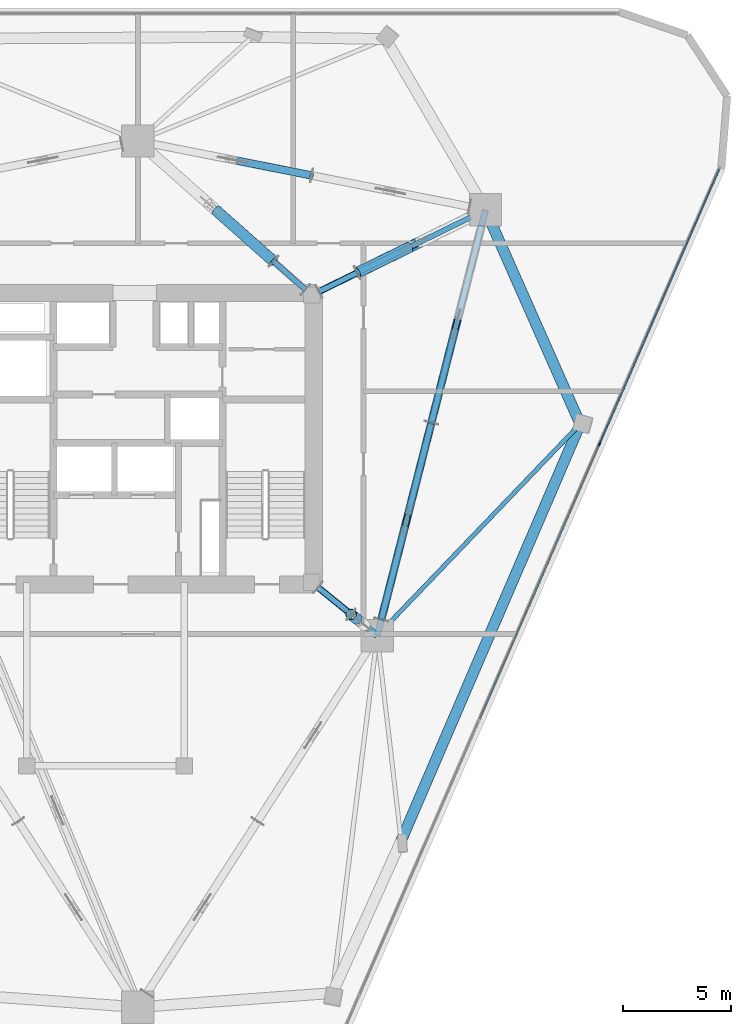
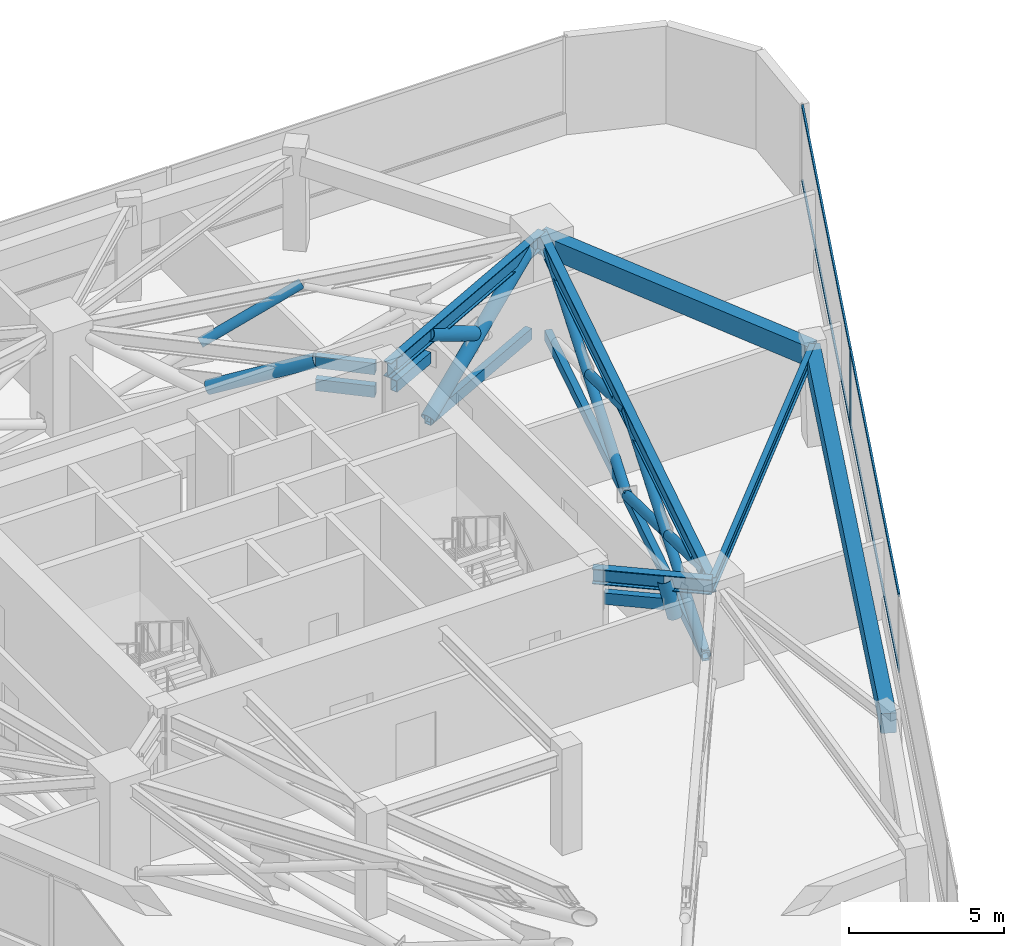
# One storey, part 7 of 13: 27 members, 6 beams, 1 element without a shape of its own.
"""IFC4 building model written with IfcOpenShell, lengths in metres."""

from ifc_helpers import new_model, si_unit, direction, frame, origin, origin_2d, place, context, subcontext, project, spatial, rectangle, hollow_rectangle, hollow_circle, i_section, extrude, material, layer, layer_set, material_profile, profile_set, type_object, element, aggregate, save


model = new_model("IFC4")

# Units and contexts
model_context = context("Model", 3, precision=1e-05, world=origin(), true_north=direction((0.0, 1.0)))
body_context = subcontext(model_context, "Body", "Model", "MODEL_VIEW")
ifc_project = project(units=[si_unit("LENGTHUNIT", "METRE"), si_unit("AREAUNIT", "SQUARE_METRE"), si_unit("VOLUMEUNIT", "CUBIC_METRE"), si_unit("PLANEANGLEUNIT", "RADIAN"), si_unit("MASSUNIT", "GRAM", prefix="KILO")], contexts=[model_context])

# Site, building, storey
site_placement = place(None, origin())
site = spatial("IfcSite", under=ifc_project, at=site_placement, CompositionType="ELEMENT")
building_placement = place(site_placement, origin())
building = spatial("IfcBuilding", under=site, at=building_placement, Name="Talyreon Biosciences Tower", CompositionType="ELEMENT")
storey_placement = place(building_placement, frame((0.0, 0.0, 171.0)))
storey = spatial("IfcBuildingStorey", under=building, at=storey_placement, Name="L45", CompositionType="ELEMENT", Elevation=171.0)

# Members
ifc_material_1 = material(Name="Steel SM355", Category="steel")
ifc_material_profile_1 = material_profile(ifc_material_1, hollow_circle(Radius=0.177734375, WallThickness=0.01416015625, at=origin_2d()), Name="CHS 355.6x14.2")
ifc_profile_set_1 = profile_set([ifc_material_profile_1], Name="Steel SM355")
member_type_1 = type_object("IfcMemberType", Name="BeltBrace_CHS355", PredefinedType="BRACE", material=ifc_profile_set_1)
member_1_placement = place(storey_placement, frame((77.273681640625, 59.616943359375, 0.239990234375), z_axis=(0.232175985263, 0.912728865371, 0.336184964248), x_axis=(-0.969136504924, 0.246524714428, 0.0)))
element("IfcMember", 1, at=member_1_placement, inside=storey, type_object=member_type_1, Name="L45 Continuous Diagonal BELT-L45-B2S1A", PredefinedType="BRACE", context=body_context, shape_type="SweptSolid", body=[
    extrude(hollow_circle(Radius=0.177734375, WallThickness=0.01416015625, at=origin_2d()), origin(), (0.0, 0.0, 1.0), 9.994873046875),
])
for number, where, z_axis, x_axis, name in (
    (2, (79.59423828125, 68.739501953125, 0.239990234375), (-0.232167155057, -0.912728476724, 0.336192117532), (0.96913871987, -0.24651600688, 0.0), "L45 Split Diagonal BELT-L45-B2S1B-Lower"),
    (3, (78.368896484375, 63.922607421875, 2.01416015625), (-0.232167155057, -0.912728476724, 0.336192117532), (0.96913871987, -0.24651600688, 0.0), "L45 Split Diagonal BELT-L45-B2S1B-Upper"),
):
    element("IfcMember", number, at=place(storey_placement, frame(where, z_axis=z_axis, x_axis=x_axis)), inside=storey, type_object=member_type_1, Name=name, PredefinedType="BRACE", context=body_context, shape_type="SweptSolid", body=[
        extrude(hollow_circle(Radius=0.177734375, WallThickness=0.01416015625, at=origin_2d()), origin(), (0.0, 0.0, 1.0), 4.71728515625),
    ])
member_2_placement = place(storey_placement, frame((79.59423828125, 68.739501953125, 0.239990234375), z_axis=(0.232193918339, 0.912727766311, 0.336175562602), x_axis=(-0.96913188456, 0.246542877262, 0.0)))
element("IfcMember", 4, at=member_2_placement, inside=storey, type_object=member_type_1, Name="L45 Continuous Diagonal BELT-L45-B2S2A", PredefinedType="BRACE", context=body_context, shape_type="SweptSolid", body=[
    extrude(hollow_circle(Radius=0.177734375, WallThickness=0.01416015625, at=origin_2d()), origin(), (0.0, 0.0, 1.0), 9.9951171875),
])
member_3_placement = place(storey_placement, frame((80.689697265625, 73.04541015625, 2.01416015625), z_axis=(-0.232205149796, -0.912726148197, 0.336172198145), x_axis=(0.969128930664, -0.246554488399, 0.0)))
element("IfcMember", 5, at=member_3_placement, inside=storey, type_object=member_type_1, Name="L45 Split Diagonal BELT-L45-B2S2B-Upper", PredefinedType="BRACE", context=body_context, shape_type="SweptSolid", body=[
    extrude(hollow_circle(Radius=0.177734375, WallThickness=0.01416015625, at=origin_2d()), origin(), (0.0, 0.0, 1.0), 4.717529296875),
])
member_4_placement = place(storey_placement, frame((70.648681640625, 80.867919921875, 2.03515625), z_axis=(0.894148772603, -0.177136023617, 0.411242995794), x_axis=(0.194329148717, 0.980936380179, 0.0)))
element("IfcMember", 6, at=member_4_placement, inside=storey, type_object=member_type_1, Name="L45 Split Diagonal BELT-L45-B3S2B-Upper", PredefinedType="BRACE", context=body_context, shape_type="SweptSolid", body=[
    extrude(hollow_circle(Radius=0.177734375, WallThickness=0.01416015625, at=origin_2d()), origin(), (0.0, 0.0, 1.0), 3.805419921875),
])
ifc_material_profile_2 = material_profile(ifc_material_1, hollow_rectangle(XDim=0.25, YDim=0.39990234375, WallThickness=0.01611328125, at=origin_2d()), Name="RHS 400x250x16")
ifc_profile_set_2 = profile_set([ifc_material_profile_2], Name="Steel SM355")
member_type_2 = type_object("IfcMemberType", Name="BeltChord_RHS400x250", PredefinedType="CHORD", material=ifc_profile_set_2)
for number, where, z_axis, x_axis, name in (
    (7, (77.273681640625, 59.616943359375, 0.239990234375), (0.246524714428, 0.969136504924, 0.0), (-0.969136504924, 0.246524714428, 0.0), "L45 Truss Bottom Chord BELT-L45-B2S1"),
    (8, (77.273681640625, 59.616943359375, 3.60009765625), (0.246524714428, 0.969136504924, 0.0), (-0.969136504924, 0.246524714428, 0.0), "L45 Truss Top Chord BELT-L45-B2S1"),
):
    element("IfcMember", number, at=place(storey_placement, frame(where, z_axis=z_axis, x_axis=x_axis)), inside=storey, type_object=member_type_2, Name=name, PredefinedType="CHORD", context=body_context, shape_type="SweptSolid", body=[
        extrude(hollow_rectangle(XDim=0.25, YDim=0.39990234375, WallThickness=0.01611328125, at=origin_2d()), origin(), (0.0, 0.0, 1.0), 9.4130859375),
    ])
for number, where, z_axis, x_axis, name in (
    (9, (79.59423828125, 68.739501953125, 0.239990234375), (0.246542877262, 0.96913188456, 0.0), (-0.96913188456, 0.246542877262, 0.0), "L45 Truss Bottom Chord BELT-L45-B2S2"),
    (10, (79.59423828125, 68.739501953125, 3.60009765625), (0.246542877262, 0.96913188456, 0.0), (-0.96913188456, 0.246542877262, 0.0), "L45 Truss Top Chord BELT-L45-B2S2"),
):
    element("IfcMember", number, at=place(storey_placement, frame(where, z_axis=z_axis, x_axis=x_axis)), inside=storey, type_object=member_type_2, Name=name, PredefinedType="CHORD", context=body_context, shape_type="SweptSolid", body=[
        extrude(hollow_rectangle(XDim=0.25, YDim=0.39990234375, WallThickness=0.01611328125, at=origin_2d()), origin(), (0.0, 0.0, 1.0), 9.413330078125),
    ])

# Curtain wall, members
ifc_material_2 = material(Name="Thermally broken aluminium and low-E glazing", Category="aluminium")
ifc_layer = layer(ifc_material_2, 0.18505859375)
ifc_layer_set = layer_set([ifc_layer], Name="Thermally broken aluminium and low-E glazing")
curtain_wall_type = type_object("IfcCurtainWallType", Name="CurtainWall_Zone3Bioprocess", PredefinedType="NOTDEFINED", material=ifc_layer_set)
curtain_wall_placement = place(storey_placement, origin())
curtain_wall = element("IfcCurtainWall", 11, at=curtain_wall_placement, inside=storey, type_object=curtain_wall_type, Name="L45 Unitised Curtain Wall FCW-L45-08", PredefinedType="NOTDEFINED")
ifc_material_3 = material(Name="Anodised thermally broken aluminium", Category="aluminium")
ifc_material_profile_3 = material_profile(ifc_material_3, rectangle(XDim=0.06494140625, YDim=0.179931640625, at=origin_2d()), Name="ALUM MULLION 65x180")
ifc_profile_set_3 = profile_set([ifc_material_profile_3], Name="Anodised thermally broken aluminium")
member_type_3 = type_object("IfcMemberType", Name="CWMullion_65x180", PredefinedType="MULLION", material=ifc_profile_set_3)
member_5_placement = place(storey_placement, frame((87.390380859375, 67.762939453125, 0.81005859375), z_axis=(0.0, 0.0, 1.0), x_axis=(0.916820215501, -0.399300253505, 0.0)))
member_5 = element("IfcMember", 12, at=member_5_placement, type_object=member_type_3, Name="CW4 mullion 2", PredefinedType="MULLION", context=body_context, shape_type="SweptSolid", body=[
    extrude(rectangle(XDim=0.06494140625, YDim=0.179931640625, at=origin_2d()), origin(), (0.0, 0.0, 1.0), 3.0400390625),
])
ifc_material_profile_4 = material_profile(ifc_material_3, rectangle(XDim=0.06494140625, YDim=0.139892578125, at=origin_2d()), Name="ALUM TRANSOM 65x140")
ifc_profile_set_4 = profile_set([ifc_material_profile_4], Name="Anodised thermally broken aluminium")
member_type_4 = type_object("IfcMemberType", Name="CWTransom_65x140", PredefinedType="USERDEFINED", material=ifc_profile_set_4)
member_6_placement = place(storey_placement, frame((92.9296875, 80.481689453125, 0.842529296875), z_axis=(-0.399298814497, -0.916820842227, 0.0), x_axis=(0.916820842227, -0.399298814497, 0.0)))
member_6 = element("IfcMember", 13, at=member_6_placement, type_object=member_type_4, Name="CW4 transom 1.1", ObjectType="TRANSOM", PredefinedType="USERDEFINED", context=body_context, shape_type="SweptSolid", body=[
    extrude(rectangle(XDim=0.06494140625, YDim=0.139892578125, at=origin_2d()), origin(), (0.0, 0.0, 1.0), 13.840087890625),
])
member_7_placement = place(storey_placement, frame((92.9296875, 80.481689453125, 3.8173828125), z_axis=(-0.399298814497, -0.916820842227, 0.0), x_axis=(0.916820842227, -0.399298814497, 0.0)))
member_7 = element("IfcMember", 14, at=member_7_placement, type_object=member_type_4, Name="CW4 transom 1.2", ObjectType="TRANSOM", PredefinedType="USERDEFINED", context=body_context, shape_type="SweptSolid", body=[
    extrude(rectangle(XDim=0.06494140625, YDim=0.139892578125, at=origin_2d()), origin(), (0.0, 0.0, 1.0), 13.840087890625),
])
member_8_placement = place(storey_placement, frame((87.37744140625, 67.73291015625, 0.842529296875), z_axis=(-0.399311623344, -0.916815263541, 0.0), x_axis=(0.916815263541, -0.399311623344, 0.0)))
member_8 = element("IfcMember", 15, at=member_8_placement, type_object=member_type_4, Name="CW4 transom 2.1", ObjectType="TRANSOM", PredefinedType="USERDEFINED", context=body_context, shape_type="SweptSolid", body=[
    extrude(rectangle(XDim=0.06494140625, YDim=0.139892578125, at=origin_2d()), origin(), (0.0, 0.0, 1.0), 13.872802734375),
])
member_9_placement = place(storey_placement, frame((87.37744140625, 67.73291015625, 3.8173828125), z_axis=(-0.399311623344, -0.916815263541, 0.0), x_axis=(0.916815263541, -0.399311623344, 0.0)))
member_9 = element("IfcMember", 16, at=member_9_placement, type_object=member_type_4, Name="CW4 transom 2.2", ObjectType="TRANSOM", PredefinedType="USERDEFINED", context=body_context, shape_type="SweptSolid", body=[
    extrude(rectangle(XDim=0.06494140625, YDim=0.139892578125, at=origin_2d()), origin(), (0.0, 0.0, 1.0), 13.872802734375),
])
aggregate(curtain_wall, [member_5, member_6, member_7, member_8, member_9])

# Beams
ifc_material_4 = material(Name="Precast concrete C45/55", Category="concrete")
ifc_material_profile_5 = material_profile(ifc_material_4, rectangle(XDim=0.5, YDim=0.780029296875, at=origin_2d()), Name="RCB 500x780")
ifc_profile_set_5 = profile_set([ifc_material_profile_5], Name="Precast concrete C45/55")
beam_type_1 = type_object("IfcBeamType", Name="ExpressedSpandrel_500x780", PredefinedType="SPANDREL", material=ifc_profile_set_5)
beam_1_placement = place(storey_placement, frame((78.192626953125, 49.377685546875, 3.4599609375), z_axis=(0.394861519071, 0.918740649344, 0.0), x_axis=(-0.918740649344, 0.394861519071, 0.0)))
element("IfcBeam", 17, at=beam_1_placement, inside=storey, type_object=beam_type_1, Name="L45 Expressed Horizontal Concrete Spandrel 03", PredefinedType="SPANDREL", context=body_context, shape_type="SweptSolid", body=[
    extrude(rectangle(XDim=0.5, YDim=0.780029296875, at=origin_2d()), origin(), (0.0, 0.0, 1.0), 21.01025390625),
])
beam_2_placement = place(storey_placement, frame((86.48876953125, 68.6806640625, 3.4599609375), z_axis=(-0.404481392279, 0.914546228082, 0.0), x_axis=(-0.914546228082, -0.404481392279, 0.0)))
element("IfcBeam", 18, at=beam_2_placement, inside=storey, type_object=beam_type_1, Name="L45 Expressed Horizontal Concrete Spandrel 04", PredefinedType="SPANDREL", context=body_context, shape_type="SweptSolid", body=[
    extrude(rectangle(XDim=0.5, YDim=0.780029296875, at=origin_2d()), origin(), (0.0, 0.0, 1.0), 10.8447265625),
])

# Members
ifc_material_profile_6 = material_profile(ifc_material_1, hollow_circle(Radius=0.25390625, WallThickness=0.02001953125, at=origin_2d()), Name="CHS 508x20")
ifc_profile_set_6 = profile_set([ifc_material_profile_6], Name="Steel SM355")
member_type_5 = type_object("IfcMemberType", Name="OutriggerBrace_CHS508", PredefinedType="BRACE", material=ifc_profile_set_6)
member_10_placement = place(storey_placement, frame((76.13427734375, 59.65478515625, 2.1923828125), z_axis=(-0.180480395429, 0.146745742077, 0.972570056113), x_axis=(-0.630865577275, -0.775892146764, 0.0)))
element("IfcMember", 19, at=member_10_placement, inside=storey, type_object=member_type_5, Name="L45 Split Diagonal OUT-L45-R2B-Upper", PredefinedType="BRACE", context=body_context, shape_type="SweptSolid", body=[
    extrude(hollow_circle(Radius=0.25390625, WallThickness=0.02001953125, at=origin_2d()), origin(), (0.0, 0.0, 1.0), 1.447509765625),
])
member_11_placement = place(storey_placement, frame((76.159912109375, 75.684814453125, 0.239990234375), z_axis=(0.778845868979, 0.38192186613, 0.497528693189), x_axis=(-0.440282388791, 0.897859353195, 0.0)))
element("IfcMember", 20, at=member_11_placement, inside=storey, type_object=member_type_5, Name="L45 Continuous Diagonal OUT-L45-R3A", PredefinedType="BRACE", context=body_context, shape_type="SweptSolid", body=[
    extrude(hollow_circle(Radius=0.25390625, WallThickness=0.02001953125, at=origin_2d()), origin(), (0.0, 0.0, 1.0), 6.753662109375),
])
member_12_placement = place(storey_placement, frame((78.572021484375, 76.867431640625, 2.059326171875), z_axis=(-0.778876963264, -0.381870446361, 0.49751948534), x_axis=(0.440220431574, -0.897889732442, 0.0)))
element("IfcMember", 21, at=member_12_placement, inside=storey, type_object=member_type_5, Name="L45 Split Diagonal OUT-L45-R3B-Upper", PredefinedType="BRACE", context=body_context, shape_type="SweptSolid", body=[
    extrude(hollow_circle(Radius=0.25390625, WallThickness=0.02001953125, at=origin_2d()), origin(), (0.0, 0.0, 1.0), 3.096923828125),
])
member_13_placement = place(storey_placement, frame((69.6220703125, 78.576904296875, 2.03271484375), z_axis=(0.684988737125, -0.607500756528, 0.40216074004), x_axis=(0.663522578679, 0.748156258801, 0.0)))
element("IfcMember", 22, at=member_13_placement, inside=storey, type_object=member_type_5, Name="L45 Split Diagonal OUT-L45-R4B-Upper", PredefinedType="BRACE", context=body_context, shape_type="SweptSolid", body=[
    extrude(hollow_circle(Radius=0.25390625, WallThickness=0.02001953125, at=origin_2d()), origin(), (0.0, 0.0, 1.0), 3.8974609375),
])
ifc_material_profile_7 = material_profile(ifc_material_1, hollow_rectangle(XDim=0.25, YDim=0.449951171875, WallThickness=0.01611328125, at=origin_2d()), Name="RHS 450x250x16")
ifc_profile_set_7 = profile_set([ifc_material_profile_7], Name="Steel SM355")
member_type_6 = type_object("IfcMemberType", Name="OutriggerChord_RHS450x250", PredefinedType="CHORD", material=ifc_profile_set_7)
for number, where, z_axis, x_axis, name in (
    (23, (74.3486328125, 61.107177734375, 3.60009765625), (0.775764250479, -0.631022842438, 0.0), (0.631022842438, 0.775764250479, 0.0), "L45 Outrigger Core Top Tie 2"),
    (24, (74.3486328125, 61.107177734375, 2.699951171875), (0.775764250479, -0.631022842438, 0.0), (0.631022842438, 0.775764250479, 0.0), "L45 Outrigger Core Plenum Tie 2"),
):
    element("IfcMember", number, at=place(storey_placement, frame(where, z_axis=z_axis, x_axis=x_axis)), inside=storey, type_object=member_type_6, Name=name, PredefinedType="CHORD", context=body_context, shape_type="SweptSolid", body=[
        extrude(hollow_rectangle(XDim=0.25, YDim=0.449951171875, WallThickness=0.01611328125, at=origin_2d()), origin(), (0.0, 0.0, 1.0), 1.965087890625),
    ])
for number, where, z_axis, x_axis, name in (
    (25, (74.395751953125, 74.819580078125, 3.60009765625), (0.897830193079, 0.44034184947, 0.0), (-0.44034184947, 0.897830193079, 0.0), "L45 Outrigger Core Top Tie 3"),
    (26, (74.395751953125, 74.819580078125, 2.699951171875), (0.897830193079, 0.44034184947, 0.0), (-0.44034184947, 0.897830193079, 0.0), "L45 Outrigger Core Plenum Tie 3"),
):
    element("IfcMember", number, at=place(storey_placement, frame(where, z_axis=z_axis, x_axis=x_axis)), inside=storey, type_object=member_type_6, Name=name, PredefinedType="CHORD", context=body_context, shape_type="SweptSolid", body=[
        extrude(hollow_rectangle(XDim=0.25, YDim=0.449951171875, WallThickness=0.01611328125, at=origin_2d()), origin(), (0.0, 0.0, 1.0), 1.96484375),
    ])
for number, where, z_axis, x_axis, name in (
    (27, (76.159912109375, 75.684814453125, 0.239990234375), (0.897859353195, 0.440282388791, 0.0), (-0.440282388791, 0.897859353195, 0.0), "L45 Truss Bottom Chord OUT-L45-R3"),
    (28, (76.159912109375, 75.684814453125, 3.60009765625), (0.897859353195, 0.440282388791, 0.0), (-0.440282388791, 0.897859353195, 0.0), "L45 Truss Top Chord OUT-L45-R3"),
):
    element("IfcMember", number, at=place(storey_placement, frame(where, z_axis=z_axis, x_axis=x_axis)), inside=storey, type_object=member_type_6, Name=name, PredefinedType="CHORD", context=body_context, shape_type="SweptSolid", body=[
        extrude(hollow_rectangle(XDim=0.25, YDim=0.449951171875, WallThickness=0.01611328125, at=origin_2d()), origin(), (0.0, 0.0, 1.0), 5.8583984375),
    ])
for number, where, z_axis, x_axis, name in (
    (29, (73.761962890625, 74.905517578125, 3.60009765625), (-0.748203951934, 0.663468798294, 0.0), (-0.663468798294, -0.748203951934, 0.0), "L45 Outrigger Core Top Tie 4"),
    (30, (73.761962890625, 74.905517578125, 2.699951171875), (-0.748203951934, 0.663468798294, 0.0), (-0.663468798294, -0.748203951934, 0.0), "L45 Outrigger Core Plenum Tie 4"),
):
    element("IfcMember", number, at=place(storey_placement, frame(where, z_axis=z_axis, x_axis=x_axis)), inside=storey, type_object=member_type_6, Name=name, PredefinedType="CHORD", context=body_context, shape_type="SweptSolid", body=[
        extrude(hollow_rectangle(XDim=0.25, YDim=0.449951171875, WallThickness=0.01611328125, at=origin_2d()), origin(), (0.0, 0.0, 1.0), 1.965087890625),
    ])

# Beams
ifc_material_profile_8 = material_profile(ifc_material_1, i_section(OverallWidth=0.300048828125, OverallDepth=0.60009765625, WebThickness=0.015380859375, FlangeThickness=0.030029296875, FilletRadius=0.027099609375, at=origin_2d()), Name="HE600B")
ifc_profile_set_8 = profile_set([ifc_material_profile_8], Name="Steel SM355")
beam_type_2 = type_object("IfcBeamType", Name="SteelBeam_HE600B", PredefinedType="BEAM", material=ifc_profile_set_8)
beam_3_placement = place(storey_placement, frame((77.086181640625, 58.88037109375, 3.550048828125), z_axis=(0.246537082299, 0.969133358755, 0.0), x_axis=(-0.969133358755, 0.246537082299, 0.0)))
element("IfcBeam", 31, at=beam_3_placement, inside=storey, type_object=beam_type_2, Name="L45 Mega-Ring Girder 2", PredefinedType="BEAM", context=body_context, shape_type="SweptSolid", body=[
    extrude(i_section(OverallWidth=0.300048828125, OverallDepth=0.60009765625, WebThickness=0.015380859375, FlangeThickness=0.030029296875, FilletRadius=0.027099609375, at=origin_2d()), origin(), (0.0, 0.0, 1.0), 20.34619140625),
])
beam_4_placement = place(storey_placement, frame((74.050048828125, 61.35009765625, 3.550048828125), z_axis=(0.775755154013, -0.631034025249, 0.0), x_axis=(0.631034025249, 0.775755154013, 0.0)))
element("IfcBeam", 32, at=beam_4_placement, inside=storey, type_object=beam_type_2, Name="L45 Radial Primary Girder 2", PredefinedType="BEAM", context=body_context, shape_type="SweptSolid", body=[
    extrude(i_section(OverallWidth=0.300048828125, OverallDepth=0.60009765625, WebThickness=0.015380859375, FlangeThickness=0.030029296875, FilletRadius=0.027099609375, at=origin_2d()), origin(), (0.0, 0.0, 1.0), 3.913818359375),
])
beam_5_placement = place(storey_placement, frame((74.050048828125, 74.64990234375, 3.550048828125), z_axis=(0.897852360314, 0.440296648952, 0.0), x_axis=(-0.440296648952, 0.897852360314, 0.0)))
element("IfcBeam", 33, at=beam_5_placement, inside=storey, type_object=beam_type_2, Name="L45 Radial Primary Girder 3", PredefinedType="BEAM", context=body_context, shape_type="SweptSolid", body=[
    extrude(i_section(OverallWidth=0.300048828125, OverallDepth=0.60009765625, WebThickness=0.015380859375, FlangeThickness=0.030029296875, FilletRadius=0.027099609375, at=origin_2d()), origin(), (0.0, 0.0, 1.0), 8.96826171875),
])
ifc_material_profile_9 = material_profile(ifc_material_1, i_section(OverallWidth=0.199951171875, OverallDepth=0.5, WebThickness=0.01025390625, FlangeThickness=0.01611328125, FilletRadius=0.02099609375, at=origin_2d()), Name="IPE500")
ifc_profile_set_9 = profile_set([ifc_material_profile_9], Name="Steel SM355")
beam_type_3 = type_object("IfcBeamType", Name="SteelJoist_IPE500", PredefinedType="JOIST", material=ifc_profile_set_9)
beam_6_placement = place(storey_placement, frame((77.086181640625, 58.88037109375, 3.60009765625), z_axis=(0.69231364357, 0.721596714881, 0.0), x_axis=(-0.721596714881, 0.69231364357, 0.0)))
element("IfcBeam", 34, at=beam_6_placement, inside=storey, type_object=beam_type_3, Name="L45 Radial Composite Floor Joist PC-SE2", PredefinedType="JOIST", context=body_context, shape_type="SweptSolid", body=[
    extrude(i_section(OverallWidth=0.199951171875, OverallDepth=0.5, WebThickness=0.01025390625, FlangeThickness=0.01611328125, FilletRadius=0.02099609375, at=origin_2d()), origin(), (0.0, 0.0, 1.0), 13.581298828125),
])

save(model, "model.ifc")
